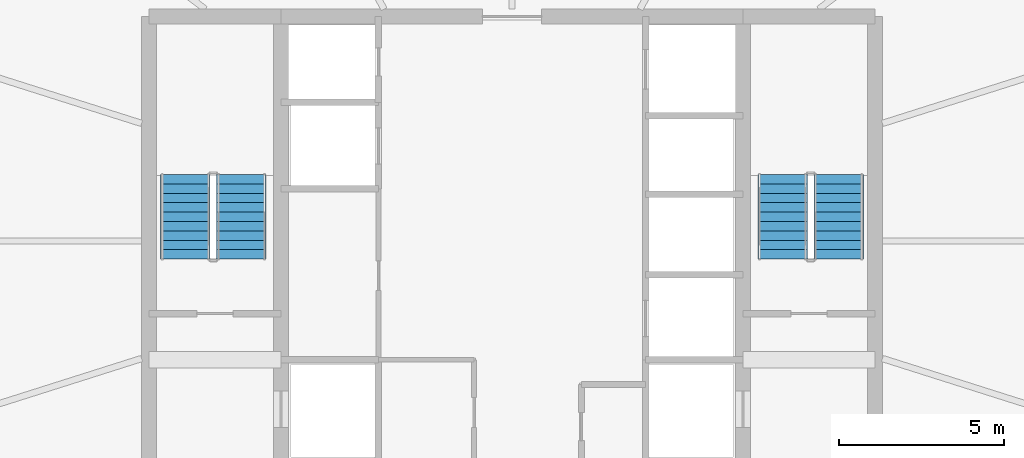
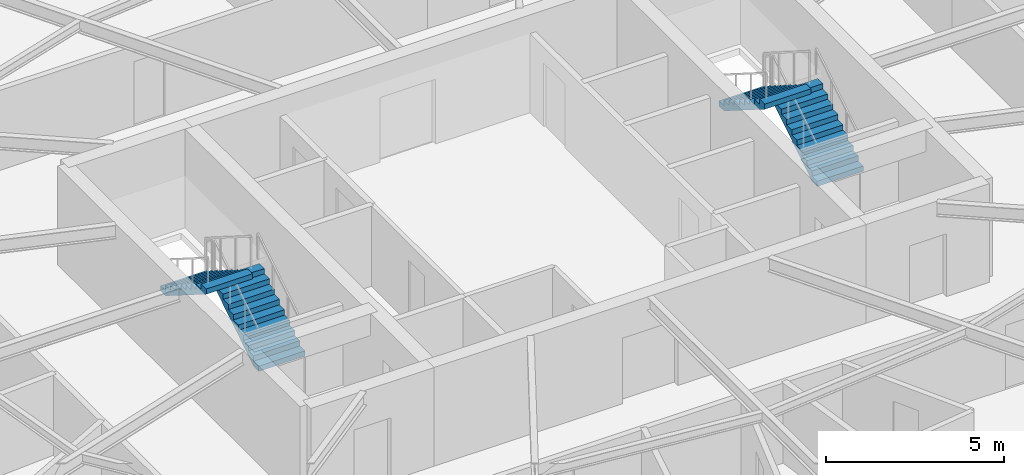
# One storey, part 26 of 29: 4 stair flights, 2 elements without a shape of their own.
"""IFC4 building model written with IfcOpenShell, lengths in metres."""

from ifc_helpers import new_model, si_unit, direction, frame, origin, place, context, subcontext, project, spatial, polyline, outline, extrude, material, type_object, element, aggregate, save


model = new_model("IFC4")

# Units and contexts
model_context = context("Model", 3, precision=1e-05, world=origin(), true_north=direction((0.0, 1.0)))
body_context = subcontext(model_context, "Body", "Model", "MODEL_VIEW")
ifc_project = project(units=[si_unit("LENGTHUNIT", "METRE"), si_unit("AREAUNIT", "SQUARE_METRE"), si_unit("VOLUMEUNIT", "CUBIC_METRE"), si_unit("PLANEANGLEUNIT", "RADIAN"), si_unit("MASSUNIT", "GRAM", prefix="KILO")], contexts=[model_context])

# Site, building, storey
site_placement = place(None, origin())
site = spatial("IfcSite", under=ifc_project, at=site_placement, CompositionType="ELEMENT")
building_placement = place(site_placement, origin())
building = spatial("IfcBuilding", under=site, at=building_placement, Name="Sarneth Arch Tower", CompositionType="ELEMENT")
storey_placement = place(building_placement, frame((0.0, 0.0, 165.0)))
storey = spatial("IfcBuildingStorey", under=building, at=storey_placement, Name="L41", CompositionType="ELEMENT", Elevation=165.0)

# Stair, stair flights
ifc_material_1 = material(Name="Concrete C50/60", Category="concrete")
stair_type = type_object("IfcStairType", Name="STAIR-CORE-RC", PredefinedType="HALF_TURN_STAIR", material=ifc_material_1)
stair_1_placement = place(storey_placement, origin())
stair_1 = element("IfcStair", 1, at=stair_1_placement, inside=storey, type_object=stair_type, Name="L41 Core Exit Stair 1", PredefinedType="HALF_TURN_STAIR")
ifc_material_2 = material(Name="Concrete C50/60", Category="concrete")
stair_flight_type = type_object("IfcStairFlightType", Name="FLIGHT-RC-1500", PredefinedType="STRAIGHT", material=ifc_material_2)
stair_flight_1_placement = place(storey_placement, frame((39.800048828125, 41.449951171875, 0.0), z_axis=(0.0, 0.0, 1.0), x_axis=(0.0, 1.0, 0.0)))
stair_flight_1 = element("IfcStairFlight", 2, at=stair_flight_1_placement, type_object=stair_flight_type, Name="ST-1 flight 1", NumberOfRisers=10, NumberOfTreads=9, PredefinedType="STRAIGHT", RiserHeight=0.18, TreadLength=0.285, context=body_context, shape_type="SweptSolid", body=[
    extrude(outline(polyline([(0.0, 0.0), (0.0, 0.179931640625), (0.284912109375, 0.179931640625), (0.284912109375, 0.360107421875), (0.570068359375, 0.360107421875), (0.570068359375, 0.5400390625), (0.85498046875, 0.5400390625), (0.85498046875, 0.719970703125), (1.139892578125, 0.719970703125), (1.139892578125, 0.89990234375), (1.425048828125, 0.89990234375), (1.425048828125, 1.080078125), (1.7099609375, 1.080078125), (1.7099609375, 1.260009765625), (1.9951171875, 1.260009765625), (1.9951171875, 1.43994140625), (2.280029296875, 1.43994140625), (2.280029296875, 1.6201171875), (2.56494140625, 1.6201171875), (2.56494140625, 1.800048828125), (2.56494140625, 1.442626953125), (0.28076171875, 0.0), (0.0, 0.0)])), frame((0.0, 0.75, 0.0), z_axis=(0.0, -1.0, 0.0), x_axis=(1.0, 0.0, 0.0)), (0.0, 0.0, 1.0), 1.5),
])
stair_flight_2_placement = place(storey_placement, frame((38.10009765625, 44.014892578125, 1.800048828125), z_axis=(0.0, 0.0, 1.0), x_axis=(0.0, -1.0, 0.0)))
stair_flight_2 = element("IfcStairFlight", 3, at=stair_flight_2_placement, type_object=stair_flight_type, Name="ST-1 flight 2", NumberOfRisers=10, NumberOfTreads=9, PredefinedType="STRAIGHT", RiserHeight=0.18, TreadLength=0.285, context=body_context, shape_type="SweptSolid", body=[
    extrude(outline(polyline([(0.0, 0.0), (0.0, 0.179931640625), (0.284912109375, 0.179931640625), (0.284912109375, 0.360107421875), (0.570068359375, 0.360107421875), (0.570068359375, 0.5400390625), (0.85498046875, 0.5400390625), (0.85498046875, 0.719970703125), (1.139892578125, 0.719970703125), (1.139892578125, 0.89990234375), (1.425048828125, 0.89990234375), (1.425048828125, 1.080078125), (1.7099609375, 1.080078125), (1.7099609375, 1.260009765625), (1.9951171875, 1.260009765625), (1.9951171875, 1.43994140625), (2.280029296875, 1.43994140625), (2.280029296875, 1.6201171875), (2.56494140625, 1.6201171875), (2.56494140625, 1.800048828125), (2.56494140625, 1.442626953125), (0.28076171875, 0.0), (0.0, 0.0)])), frame((0.0, 0.75, 0.0), z_axis=(0.0, -1.0, 0.0), x_axis=(1.0, 0.0, 0.0)), (0.0, 0.0, 1.0), 1.5),
])
aggregate(stair_1, [stair_flight_1, stair_flight_2])

stair_2_placement = place(storey_placement, origin())
stair_2 = element("IfcStair", 4, at=stair_2_placement, inside=storey, type_object=stair_type, Name="L41 Core Exit Stair 2", PredefinedType="HALF_TURN_STAIR")
stair_flight_3_placement = place(storey_placement, frame((57.89990234375, 41.449951171875, 0.0), z_axis=(0.0, 0.0, 1.0), x_axis=(0.0, 1.0, 0.0)))
stair_flight_3 = element("IfcStairFlight", 5, at=stair_flight_3_placement, type_object=stair_flight_type, Name="ST-2 flight 1", NumberOfRisers=10, NumberOfTreads=9, PredefinedType="STRAIGHT", RiserHeight=0.18, TreadLength=0.285, context=body_context, shape_type="SweptSolid", body=[
    extrude(outline(polyline([(0.0, 0.0), (0.0, 0.179931640625), (0.284912109375, 0.179931640625), (0.284912109375, 0.360107421875), (0.570068359375, 0.360107421875), (0.570068359375, 0.5400390625), (0.85498046875, 0.5400390625), (0.85498046875, 0.719970703125), (1.139892578125, 0.719970703125), (1.139892578125, 0.89990234375), (1.425048828125, 0.89990234375), (1.425048828125, 1.080078125), (1.7099609375, 1.080078125), (1.7099609375, 1.260009765625), (1.9951171875, 1.260009765625), (1.9951171875, 1.43994140625), (2.280029296875, 1.43994140625), (2.280029296875, 1.6201171875), (2.56494140625, 1.6201171875), (2.56494140625, 1.800048828125), (2.56494140625, 1.442626953125), (0.28076171875, 0.0), (0.0, 0.0)])), frame((0.0, 0.75, 0.0), z_axis=(0.0, -1.0, 0.0), x_axis=(1.0, 0.0, 0.0)), (0.0, 0.0, 1.0), 1.5),
])
stair_flight_4_placement = place(storey_placement, frame((56.199951171875, 44.014892578125, 1.800048828125), z_axis=(0.0, 0.0, 1.0), x_axis=(0.0, -1.0, 0.0)))
stair_flight_4 = element("IfcStairFlight", 6, at=stair_flight_4_placement, type_object=stair_flight_type, Name="ST-2 flight 2", NumberOfRisers=10, NumberOfTreads=9, PredefinedType="STRAIGHT", RiserHeight=0.18, TreadLength=0.285, context=body_context, shape_type="SweptSolid", body=[
    extrude(outline(polyline([(0.0, 0.0), (0.0, 0.179931640625), (0.284912109375, 0.179931640625), (0.284912109375, 0.360107421875), (0.570068359375, 0.360107421875), (0.570068359375, 0.5400390625), (0.85498046875, 0.5400390625), (0.85498046875, 0.719970703125), (1.139892578125, 0.719970703125), (1.139892578125, 0.89990234375), (1.425048828125, 0.89990234375), (1.425048828125, 1.080078125), (1.7099609375, 1.080078125), (1.7099609375, 1.260009765625), (1.9951171875, 1.260009765625), (1.9951171875, 1.43994140625), (2.280029296875, 1.43994140625), (2.280029296875, 1.6201171875), (2.56494140625, 1.6201171875), (2.56494140625, 1.800048828125), (2.56494140625, 1.442626953125), (0.28076171875, 0.0), (0.0, 0.0)])), frame((0.0, 0.75, 0.0), z_axis=(0.0, -1.0, 0.0), x_axis=(1.0, 0.0, 0.0)), (0.0, 0.0, 1.0), 1.5),
])
aggregate(stair_2, [stair_flight_3, stair_flight_4])

save(model, "model.ifc")
